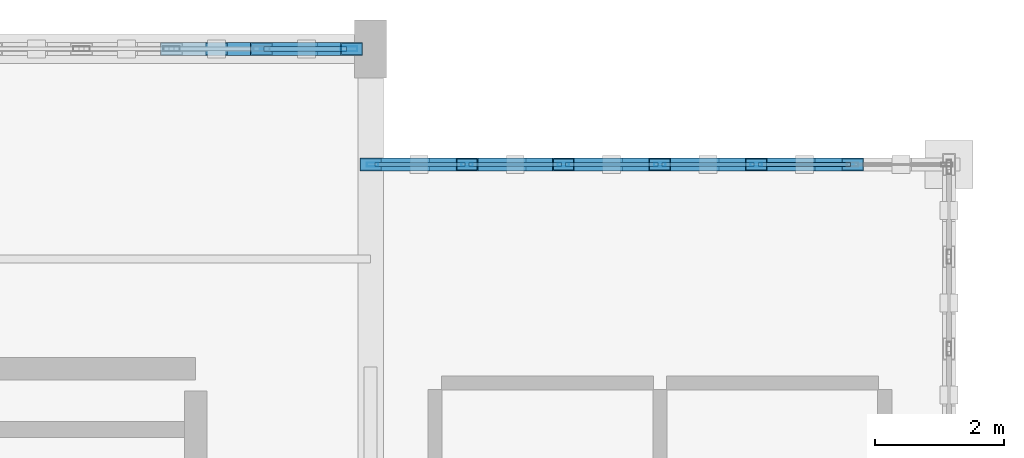
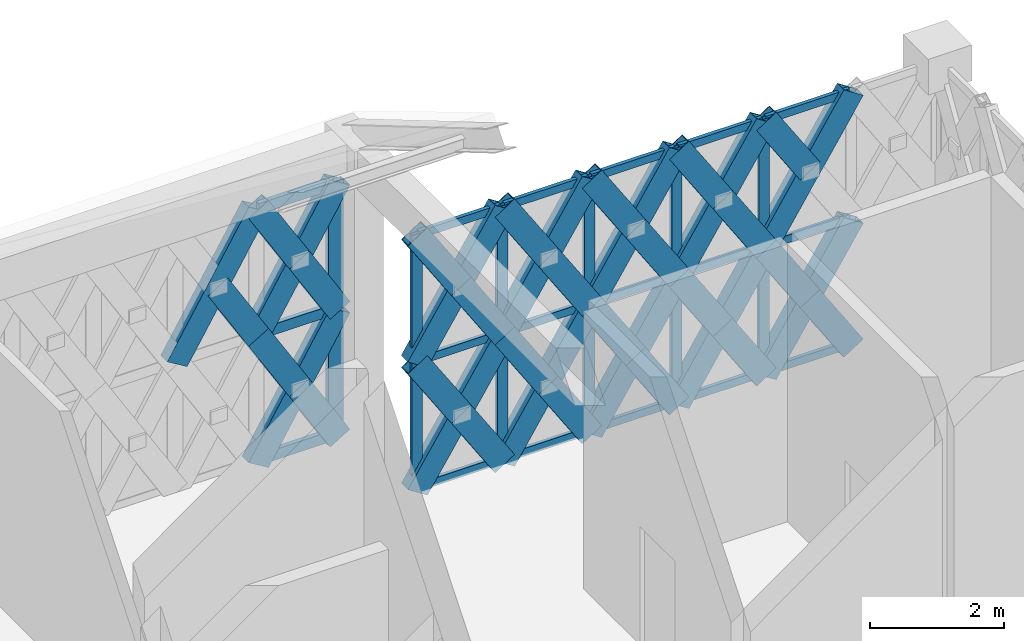
# One storey, part 54 of 72: 61 members, 2 elements without a shape of their own.
"""IFC4 building model written with IfcOpenShell, lengths in metres."""

from ifc_helpers import new_model, si_unit, direction, frame, origin, origin_2d, place, context, subcontext, project, spatial, hollow_rectangle, extrude, material, material_profile, profile_set, type_object, element, aggregate, save


model = new_model("IFC4")

# Units and contexts
model_context = context("Model", 3, precision=1e-05, world=origin(), true_north=direction((0.0, 1.0)))
body_context = subcontext(model_context, "Body", "Model", "MODEL_VIEW")
ifc_project = project(units=[si_unit("LENGTHUNIT", "METRE"), si_unit("AREAUNIT", "SQUARE_METRE"), si_unit("VOLUMEUNIT", "CUBIC_METRE"), si_unit("PLANEANGLEUNIT", "RADIAN"), si_unit("MASSUNIT", "GRAM", prefix="KILO")], contexts=[model_context])

# Site, building, storey
site_placement = place(None, origin())
site = spatial("IfcSite", under=ifc_project, at=site_placement, CompositionType="ELEMENT")
building_placement = place(site_placement, origin())
building = spatial("IfcBuilding", under=site, at=building_placement, Name="Haizhuo Lancet Aquarium", CompositionType="ELEMENT")
storey_placement = place(building_placement, frame((0.0, 0.0, 21.60009765625)))
storey = spatial("IfcBuildingStorey", under=building, at=storey_placement, Name="L04", CompositionType="ELEMENT", Elevation=21.60009765625)

# Curtain wall, members
ifc_material_1 = material(Name="Aluminium 6063-T6", Category="aluminium")
curtain_wall_type_1 = type_object("IfcCurtainWallType", Name="CWD-9000x4650", PredefinedType="NOTDEFINED", material=ifc_material_1)
curtain_wall_1_placement = place(storey_placement, origin())
curtain_wall_1 = element("IfcCurtainWall", 1, at=curtain_wall_1_placement, inside=storey, type_object=curtain_wall_type_1, Name="L04 curtain wall CW-V5-L04-181", PredefinedType="NOTDEFINED")
ifc_material_profile_1 = material_profile(ifc_material_1, hollow_rectangle(XDim=0.06494140625, YDim=0.179931640625, WallThickness=0.00390625, at=origin_2d()), Name="ALU-M 65x180x4")
ifc_profile_set_1 = profile_set([ifc_material_profile_1], Name="Aluminium 6063-T6")
member_type_1 = type_object("IfcMemberType", Name="CW-MUL-1", PredefinedType="MULLION", material=ifc_profile_set_1)
member_1_placement = place(storey_placement, frame((18.031982421875, 54.0, 0.0), z_axis=(0.0, 0.0, 1.0), x_axis=(0.0, 1.0, 0.0)))
member_1 = element("IfcMember", 2, at=member_1_placement, type_object=member_type_1, Name="CWD-90x46 mullion 1", PredefinedType="MULLION", context=body_context, shape_type="SweptSolid", body=[
    extrude(hollow_rectangle(XDim=0.06494140625, YDim=0.179931640625, WallThickness=0.00390625, at=origin_2d()), origin(), (0.0, 0.0, 1.0), 4.64990234375),
])
member_2_placement = place(storey_placement, frame((19.5, 54.0, 0.0), z_axis=(0.0, 0.0, 1.0), x_axis=(0.0, 1.0, 0.0)))
member_2 = element("IfcMember", 3, at=member_2_placement, type_object=member_type_1, Name="CWD-90x46 mullion 2", PredefinedType="MULLION", context=body_context, shape_type="SweptSolid", body=[
    extrude(hollow_rectangle(XDim=0.06494140625, YDim=0.179931640625, WallThickness=0.00390625, at=origin_2d()), origin(), (0.0, 0.0, 1.0), 4.64990234375),
])
member_3_placement = place(storey_placement, frame((21.0, 54.0, 0.0), z_axis=(0.0, 0.0, 1.0), x_axis=(0.0, 1.0, 0.0)))
member_3 = element("IfcMember", 4, at=member_3_placement, type_object=member_type_1, Name="CWD-90x46 mullion 3", PredefinedType="MULLION", context=body_context, shape_type="SweptSolid", body=[
    extrude(hollow_rectangle(XDim=0.06494140625, YDim=0.179931640625, WallThickness=0.00390625, at=origin_2d()), origin(), (0.0, 0.0, 1.0), 4.64990234375),
])
member_4_placement = place(storey_placement, frame((22.5, 54.0, 0.0), z_axis=(0.0, 0.0, 1.0), x_axis=(0.0, 1.0, 0.0)))
member_4 = element("IfcMember", 5, at=member_4_placement, type_object=member_type_1, Name="CWD-90x46 mullion 4", PredefinedType="MULLION", context=body_context, shape_type="SweptSolid", body=[
    extrude(hollow_rectangle(XDim=0.06494140625, YDim=0.179931640625, WallThickness=0.00390625, at=origin_2d()), origin(), (0.0, 0.0, 1.0), 4.64990234375),
])
member_5_placement = place(storey_placement, frame((24.0, 54.0, 0.0), z_axis=(0.0, 0.0, 1.0), x_axis=(0.0, 1.0, 0.0)))
member_5 = element("IfcMember", 6, at=member_5_placement, type_object=member_type_1, Name="CWD-90x46 mullion 5", PredefinedType="MULLION", context=body_context, shape_type="SweptSolid", body=[
    extrude(hollow_rectangle(XDim=0.06494140625, YDim=0.179931640625, WallThickness=0.00390625, at=origin_2d()), origin(), (0.0, 0.0, 1.0), 4.64990234375),
])

# Curtain wall, member
curtain_wall_type_2 = type_object("IfcCurtainWallType", Name="CWD-8410x4650", PredefinedType="NOTDEFINED", material=ifc_material_1)
curtain_wall_2_placement = place(storey_placement, origin())
curtain_wall_2 = element("IfcCurtainWall", 7, at=curtain_wall_2_placement, inside=storey, type_object=curtain_wall_type_2, Name="L04 curtain wall CW-V5-L04-180", PredefinedType="NOTDEFINED")
ifc_material_profile_2 = material_profile(ifc_material_1, hollow_rectangle(XDim=0.080078125, YDim=0.260009765625, WallThickness=0.0048828125, at=origin_2d()), Name="ALU-M 80x260x5")
ifc_profile_set_2 = profile_set([ifc_material_profile_2], Name="Aluminium 6063-T6")
member_type_2 = type_object("IfcMemberType", Name="CW-MUL-3", PredefinedType="MULLION", material=ifc_profile_set_2)
member_6_placement = place(storey_placement, frame((17.6650390625, 55.800048828125, 0.0), z_axis=(0.0, 0.0, 1.0), x_axis=(0.0, 1.0, 0.0)))
member_6 = element("IfcMember", 8, at=member_6_placement, type_object=member_type_2, Name="CWD-84x46 mullion 7", PredefinedType="MULLION", context=body_context, shape_type="SweptSolid", body=[
    extrude(hollow_rectangle(XDim=0.080078125, YDim=0.260009765625, WallThickness=0.0048828125, at=origin_2d()), origin(), (0.0, 0.0, 1.0), 4.64990234375),
])

# Member
ifc_material_profile_3 = material_profile(ifc_material_1, hollow_rectangle(XDim=0.06494140625, YDim=0.139892578125, WallThickness=0.00390625, at=origin_2d()), Name="ALU-T 65x140x4")
ifc_profile_set_3 = profile_set([ifc_material_profile_3], Name="Aluminium 6063-T6")
member_type_3 = type_object("IfcMemberType", Name="CW-TRN-1", PredefinedType="NOTDEFINED", material=ifc_profile_set_3)
member_7_placement = place(storey_placement, frame((18.06494140625, 54.0, 0.032958984375), z_axis=(1.0, 0.0, 0.0), x_axis=(0.0, 1.0, 0.0)))
member_7 = element("IfcMember", 9, at=member_7_placement, type_object=member_type_3, Name="CWD-90x46 transom 1.1", ObjectType="TRANSOM", PredefinedType="USERDEFINED", context=body_context, shape_type="SweptSolid", body=[
    extrude(hollow_rectangle(XDim=0.06494140625, YDim=0.139892578125, WallThickness=0.00390625, at=origin_2d()), origin(), (0.0, 0.0, 1.0), 1.403076171875),
])

member_8_placement = place(storey_placement, frame((18.06494140625, 54.0, 2.324951171875), z_axis=(1.0, 0.0, 0.0), x_axis=(0.0, 1.0, 0.0)))
member_8 = element("IfcMember", 10, at=member_8_placement, type_object=member_type_3, Name="CWD-90x46 transom 1.2", ObjectType="TRANSOM", PredefinedType="USERDEFINED", context=body_context, shape_type="SweptSolid", body=[
    extrude(hollow_rectangle(XDim=0.06494140625, YDim=0.139892578125, WallThickness=0.00390625, at=origin_2d()), origin(), (0.0, 0.0, 1.0), 1.403076171875),
])

member_9_placement = place(storey_placement, frame((18.06494140625, 54.0, 4.617919921875), z_axis=(1.0, 0.0, 0.0), x_axis=(0.0, 1.0, 0.0)))
member_9 = element("IfcMember", 11, at=member_9_placement, type_object=member_type_3, Name="CWD-90x46 transom 1.3", ObjectType="TRANSOM", PredefinedType="USERDEFINED", context=body_context, shape_type="SweptSolid", body=[
    extrude(hollow_rectangle(XDim=0.06494140625, YDim=0.139892578125, WallThickness=0.00390625, at=origin_2d()), origin(), (0.0, 0.0, 1.0), 1.403076171875),
])

member_10_placement = place(storey_placement, frame((19.531982421875, 54.0, 0.032958984375), z_axis=(1.0, 0.0, 0.0), x_axis=(0.0, 1.0, 0.0)))
member_10 = element("IfcMember", 12, at=member_10_placement, type_object=member_type_3, Name="CWD-90x46 transom 2.1", ObjectType="TRANSOM", PredefinedType="USERDEFINED", context=body_context, shape_type="SweptSolid", body=[
    extrude(hollow_rectangle(XDim=0.06494140625, YDim=0.139892578125, WallThickness=0.00390625, at=origin_2d()), origin(), (0.0, 0.0, 1.0), 1.43603515625),
])

member_11_placement = place(storey_placement, frame((19.531982421875, 54.0, 2.324951171875), z_axis=(1.0, 0.0, 0.0), x_axis=(0.0, 1.0, 0.0)))
member_11 = element("IfcMember", 13, at=member_11_placement, type_object=member_type_3, Name="CWD-90x46 transom 2.2", ObjectType="TRANSOM", PredefinedType="USERDEFINED", context=body_context, shape_type="SweptSolid", body=[
    extrude(hollow_rectangle(XDim=0.06494140625, YDim=0.139892578125, WallThickness=0.00390625, at=origin_2d()), origin(), (0.0, 0.0, 1.0), 1.43603515625),
])

member_12_placement = place(storey_placement, frame((19.531982421875, 54.0, 4.617919921875), z_axis=(1.0, 0.0, 0.0), x_axis=(0.0, 1.0, 0.0)))
member_12 = element("IfcMember", 14, at=member_12_placement, type_object=member_type_3, Name="CWD-90x46 transom 2.3", ObjectType="TRANSOM", PredefinedType="USERDEFINED", context=body_context, shape_type="SweptSolid", body=[
    extrude(hollow_rectangle(XDim=0.06494140625, YDim=0.139892578125, WallThickness=0.00390625, at=origin_2d()), origin(), (0.0, 0.0, 1.0), 1.43603515625),
])

member_13_placement = place(storey_placement, frame((21.031982421875, 54.0, 0.032958984375), z_axis=(1.0, 0.0, 0.0), x_axis=(0.0, 1.0, 0.0)))
member_13 = element("IfcMember", 15, at=member_13_placement, type_object=member_type_3, Name="CWD-90x46 transom 3.1", ObjectType="TRANSOM", PredefinedType="USERDEFINED", context=body_context, shape_type="SweptSolid", body=[
    extrude(hollow_rectangle(XDim=0.06494140625, YDim=0.139892578125, WallThickness=0.00390625, at=origin_2d()), origin(), (0.0, 0.0, 1.0), 1.43603515625),
])

member_14_placement = place(storey_placement, frame((21.031982421875, 54.0, 2.324951171875), z_axis=(1.0, 0.0, 0.0), x_axis=(0.0, 1.0, 0.0)))
member_14 = element("IfcMember", 16, at=member_14_placement, type_object=member_type_3, Name="CWD-90x46 transom 3.2", ObjectType="TRANSOM", PredefinedType="USERDEFINED", context=body_context, shape_type="SweptSolid", body=[
    extrude(hollow_rectangle(XDim=0.06494140625, YDim=0.139892578125, WallThickness=0.00390625, at=origin_2d()), origin(), (0.0, 0.0, 1.0), 1.43603515625),
])

member_15_placement = place(storey_placement, frame((21.031982421875, 54.0, 4.617919921875), z_axis=(1.0, 0.0, 0.0), x_axis=(0.0, 1.0, 0.0)))
member_15 = element("IfcMember", 17, at=member_15_placement, type_object=member_type_3, Name="CWD-90x46 transom 3.3", ObjectType="TRANSOM", PredefinedType="USERDEFINED", context=body_context, shape_type="SweptSolid", body=[
    extrude(hollow_rectangle(XDim=0.06494140625, YDim=0.139892578125, WallThickness=0.00390625, at=origin_2d()), origin(), (0.0, 0.0, 1.0), 1.43603515625),
])

member_16_placement = place(storey_placement, frame((22.531982421875, 54.0, 0.032958984375), z_axis=(1.0, 0.0, 0.0), x_axis=(0.0, 1.0, 0.0)))
member_16 = element("IfcMember", 18, at=member_16_placement, type_object=member_type_3, Name="CWD-90x46 transom 4.1", ObjectType="TRANSOM", PredefinedType="USERDEFINED", context=body_context, shape_type="SweptSolid", body=[
    extrude(hollow_rectangle(XDim=0.06494140625, YDim=0.139892578125, WallThickness=0.00390625, at=origin_2d()), origin(), (0.0, 0.0, 1.0), 1.43603515625),
])

member_17_placement = place(storey_placement, frame((22.531982421875, 54.0, 2.324951171875), z_axis=(1.0, 0.0, 0.0), x_axis=(0.0, 1.0, 0.0)))
member_17 = element("IfcMember", 19, at=member_17_placement, type_object=member_type_3, Name="CWD-90x46 transom 4.2", ObjectType="TRANSOM", PredefinedType="USERDEFINED", context=body_context, shape_type="SweptSolid", body=[
    extrude(hollow_rectangle(XDim=0.06494140625, YDim=0.139892578125, WallThickness=0.00390625, at=origin_2d()), origin(), (0.0, 0.0, 1.0), 1.43603515625),
])

member_18_placement = place(storey_placement, frame((22.531982421875, 54.0, 4.617919921875), z_axis=(1.0, 0.0, 0.0), x_axis=(0.0, 1.0, 0.0)))
member_18 = element("IfcMember", 20, at=member_18_placement, type_object=member_type_3, Name="CWD-90x46 transom 4.3", ObjectType="TRANSOM", PredefinedType="USERDEFINED", context=body_context, shape_type="SweptSolid", body=[
    extrude(hollow_rectangle(XDim=0.06494140625, YDim=0.139892578125, WallThickness=0.00390625, at=origin_2d()), origin(), (0.0, 0.0, 1.0), 1.43603515625),
])

member_19_placement = place(storey_placement, frame((24.031982421875, 54.0, 0.032958984375), z_axis=(1.0, 0.0, 0.0), x_axis=(0.0, 1.0, 0.0)))
member_19 = element("IfcMember", 21, at=member_19_placement, type_object=member_type_3, Name="CWD-90x46 transom 5.1", ObjectType="TRANSOM", PredefinedType="USERDEFINED", context=body_context, shape_type="SweptSolid", body=[
    extrude(hollow_rectangle(XDim=0.06494140625, YDim=0.139892578125, WallThickness=0.00390625, at=origin_2d()), origin(), (0.0, 0.0, 1.0), 1.43603515625),
])

member_20_placement = place(storey_placement, frame((24.031982421875, 54.0, 2.324951171875), z_axis=(1.0, 0.0, 0.0), x_axis=(0.0, 1.0, 0.0)))
member_20 = element("IfcMember", 22, at=member_20_placement, type_object=member_type_3, Name="CWD-90x46 transom 5.2", ObjectType="TRANSOM", PredefinedType="USERDEFINED", context=body_context, shape_type="SweptSolid", body=[
    extrude(hollow_rectangle(XDim=0.06494140625, YDim=0.139892578125, WallThickness=0.00390625, at=origin_2d()), origin(), (0.0, 0.0, 1.0), 1.43603515625),
])

member_21_placement = place(storey_placement, frame((24.031982421875, 54.0, 4.617919921875), z_axis=(1.0, 0.0, 0.0), x_axis=(0.0, 1.0, 0.0)))
member_21 = element("IfcMember", 23, at=member_21_placement, type_object=member_type_3, Name="CWD-90x46 transom 5.3", ObjectType="TRANSOM", PredefinedType="USERDEFINED", context=body_context, shape_type="SweptSolid", body=[
    extrude(hollow_rectangle(XDim=0.06494140625, YDim=0.139892578125, WallThickness=0.00390625, at=origin_2d()), origin(), (0.0, 0.0, 1.0), 1.43603515625),
])

aggregate(curtain_wall_1, [member_1, member_2, member_3, member_4, member_5, member_7, member_8, member_9, member_10, member_11, member_12, member_13, member_14, member_15, member_16, member_17, member_18, member_19, member_20, member_21])

ifc_material_profile_4 = material_profile(ifc_material_1, hollow_rectangle(XDim=0.080078125, YDim=0.18994140625, WallThickness=0.0048828125, at=origin_2d()), Name="ALU-T 80x190x5")
ifc_profile_set_4 = profile_set([ifc_material_profile_4], Name="Aluminium 6063-T6")
member_type_4 = type_object("IfcMemberType", Name="CW-TRN-3", PredefinedType="NOTDEFINED", material=ifc_profile_set_4)
member_22_placement = place(storey_placement, frame((16.343017578125, 55.800048828125, 0.039794921875), z_axis=(1.0, 0.0, 0.0), x_axis=(0.0, 1.0, 0.0)))
member_22 = element("IfcMember", 24, at=member_22_placement, type_object=member_type_4, Name="CWD-84x46 transom 6.1", ObjectType="TRANSOM", PredefinedType="USERDEFINED", context=body_context, shape_type="SweptSolid", body=[
    extrude(hollow_rectangle(XDim=0.080078125, YDim=0.18994140625, WallThickness=0.0048828125, at=origin_2d()), origin(), (0.0, 0.0, 1.0), 1.281982421875),
])

member_23_placement = place(storey_placement, frame((16.343017578125, 55.800048828125, 2.324951171875), z_axis=(1.0, 0.0, 0.0), x_axis=(0.0, 1.0, 0.0)))
member_23 = element("IfcMember", 25, at=member_23_placement, type_object=member_type_4, Name="CWD-84x46 transom 6.2", ObjectType="TRANSOM", PredefinedType="USERDEFINED", context=body_context, shape_type="SweptSolid", body=[
    extrude(hollow_rectangle(XDim=0.080078125, YDim=0.18994140625, WallThickness=0.0048828125, at=origin_2d()), origin(), (0.0, 0.0, 1.0), 1.281982421875),
])

member_24_placement = place(storey_placement, frame((16.343017578125, 55.800048828125, 4.60986328125), z_axis=(1.0, 0.0, 0.0), x_axis=(0.0, 1.0, 0.0)))
member_24 = element("IfcMember", 26, at=member_24_placement, type_object=member_type_4, Name="CWD-84x46 transom 6.3", ObjectType="TRANSOM", PredefinedType="USERDEFINED", context=body_context, shape_type="SweptSolid", body=[
    extrude(hollow_rectangle(XDim=0.080078125, YDim=0.18994140625, WallThickness=0.0048828125, at=origin_2d()), origin(), (0.0, 0.0, 1.0), 1.281982421875),
])

aggregate(curtain_wall_2, [member_6, member_22, member_23, member_24])

# Members
ifc_material_2 = material(Name="Steel S355", Category="steel")
ifc_material_profile_5 = material_profile(ifc_material_2, hollow_rectangle(XDim=0.199951171875, YDim=0.39990234375, WallThickness=0.011962890625, at=origin_2d()), Name="RHS 200x400x12")
ifc_profile_set_5 = profile_set([ifc_material_profile_5], Name="Steel S355")
member_type_5 = type_object("IfcMemberType", Name="MEM-LB-RHS200x400", PredefinedType="BRACE", material=ifc_profile_set_5)
member_25_placement = place(storey_placement, frame((14.902099609375, 55.800048828125, 2.324951171875), z_axis=(0.516095323005, 0.0, 0.856531153883), x_axis=(0.0, 1.0, 0.0)))
element("IfcMember", 27, at=member_25_placement, inside=storey, type_object=member_type_5, Name="Gothic lancet continuous diagonal brace CW-V5-L04-180 10A", PredefinedType="BRACE", context=body_context, shape_type="SweptSolid", body=[
    extrude(hollow_rectangle(XDim=0.199951171875, YDim=0.39990234375, WallThickness=0.011962890625, at=origin_2d()), origin(), (0.0, 0.0, 1.0), 2.71435546875),
])
member_26_placement = place(storey_placement, frame((16.302978515625, 55.800048828125, 2.324951171875), z_axis=(-0.516558084519, 0.0, 0.856252150548), x_axis=(0.0, -1.0, 0.0)))
element("IfcMember", 28, at=member_26_placement, inside=storey, type_object=member_type_5, Name="Gothic lancet split diagonal brace CW-V5-L04-180 10B1", PredefinedType="BRACE", context=body_context, shape_type="SweptSolid", body=[
    extrude(hollow_rectangle(XDim=0.199951171875, YDim=0.39990234375, WallThickness=0.011962890625, at=origin_2d()), origin(), (0.0, 0.0, 1.0), 1.35693359375),
])
member_27_placement = place(storey_placement, frame((16.302978515625, 55.800048828125, 0.0), z_axis=(0.516425141118, 0.0, 0.856332338302), x_axis=(0.0, 1.0, 0.0)))
element("IfcMember", 29, at=member_27_placement, inside=storey, type_object=member_type_5, Name="Gothic lancet continuous diagonal brace CW-V5-L04-180 11A", PredefinedType="BRACE", context=body_context, shape_type="SweptSolid", body=[
    extrude(hollow_rectangle(XDim=0.199951171875, YDim=0.39990234375, WallThickness=0.011962890625, at=origin_2d()), origin(), (0.0, 0.0, 1.0), 2.715087890625),
])
member_28_placement = place(storey_placement, frame((17.705078125, 55.800048828125, 0.0), z_axis=(-0.516371795819, 0.0, 0.856364506786), x_axis=(0.0, -1.0, 0.0)))
element("IfcMember", 30, at=member_28_placement, inside=storey, type_object=member_type_5, Name="Gothic lancet split diagonal brace CW-V5-L04-180 11B1", PredefinedType="BRACE", context=body_context, shape_type="SweptSolid", body=[
    extrude(hollow_rectangle(XDim=0.199951171875, YDim=0.39990234375, WallThickness=0.011962890625, at=origin_2d()), origin(), (0.0, 0.0, 1.0), 1.35791015625),
])
member_29_placement = place(storey_placement, frame((17.00390625, 55.800048828125, 1.162841796875), z_axis=(-0.51647851402, 0.0, 0.856300148637), x_axis=(0.0, -1.0, 0.0)))
element("IfcMember", 31, at=member_29_placement, inside=storey, type_object=member_type_5, Name="Gothic lancet split diagonal brace CW-V5-L04-180 11B2", PredefinedType="BRACE", context=body_context, shape_type="SweptSolid", body=[
    extrude(hollow_rectangle(XDim=0.199951171875, YDim=0.39990234375, WallThickness=0.011962890625, at=origin_2d()), origin(), (0.0, 0.0, 1.0), 1.357177734375),
])
member_30_placement = place(storey_placement, frame((16.302978515625, 55.800048828125, 2.324951171875), z_axis=(0.516425141118, 0.0, 0.856332338302), x_axis=(0.0, 1.0, 0.0)))
element("IfcMember", 32, at=member_30_placement, inside=storey, type_object=member_type_5, Name="Gothic lancet continuous diagonal brace CW-V5-L04-180 12A", PredefinedType="BRACE", context=body_context, shape_type="SweptSolid", body=[
    extrude(hollow_rectangle(XDim=0.199951171875, YDim=0.39990234375, WallThickness=0.011962890625, at=origin_2d()), origin(), (0.0, 0.0, 1.0), 2.715087890625),
])
member_31_placement = place(storey_placement, frame((17.705078125, 55.800048828125, 2.324951171875), z_axis=(-0.516689979653, 0.0, 0.856172567259), x_axis=(0.0, -1.0, 0.0)))
element("IfcMember", 33, at=member_31_placement, inside=storey, type_object=member_type_5, Name="Gothic lancet split diagonal brace CW-V5-L04-180 12B1", PredefinedType="BRACE", context=body_context, shape_type="SweptSolid", body=[
    extrude(hollow_rectangle(XDim=0.199951171875, YDim=0.39990234375, WallThickness=0.011962890625, at=origin_2d()), origin(), (0.0, 0.0, 1.0), 1.35693359375),
])
member_32_placement = place(storey_placement, frame((17.00390625, 55.800048828125, 3.48681640625), z_axis=(-0.516160432506, 0.0, 0.856491919352), x_axis=(0.0, -1.0, 0.0)))
element("IfcMember", 34, at=member_32_placement, inside=storey, type_object=member_type_5, Name="Gothic lancet split diagonal brace CW-V5-L04-180 12B2", PredefinedType="BRACE", context=body_context, shape_type="SweptSolid", body=[
    extrude(hollow_rectangle(XDim=0.199951171875, YDim=0.39990234375, WallThickness=0.011962890625, at=origin_2d()), origin(), (0.0, 0.0, 1.0), 1.35791015625),
])
member_33_placement = place(storey_placement, frame((18.0, 54.0, 0.0), z_axis=(0.542134909125, 0.0, 0.840291461523), x_axis=(0.0, 1.0, 0.0)))
element("IfcMember", 35, at=member_33_placement, inside=storey, type_object=member_type_5, Name="Gothic lancet continuous diagonal brace CW-V5-L04-181 1A", PredefinedType="BRACE", context=body_context, shape_type="SweptSolid", body=[
    extrude(hollow_rectangle(XDim=0.199951171875, YDim=0.39990234375, WallThickness=0.011962890625, at=origin_2d()), origin(), (0.0, 0.0, 1.0), 2.766845703125),
])
member_34_placement = place(storey_placement, frame((19.5, 54.0, 0.0), z_axis=(-0.542014339406, 0.0, 0.840369237822), x_axis=(0.0, -1.0, 0.0)))
element("IfcMember", 36, at=member_34_placement, inside=storey, type_object=member_type_5, Name="Gothic lancet split diagonal brace CW-V5-L04-181 1B1", PredefinedType="BRACE", context=body_context, shape_type="SweptSolid", body=[
    extrude(hollow_rectangle(XDim=0.199951171875, YDim=0.39990234375, WallThickness=0.011962890625, at=origin_2d()), origin(), (0.0, 0.0, 1.0), 1.3837890625),
])
member_35_placement = place(storey_placement, frame((18.75, 54.0, 1.162841796875), z_axis=(-0.542255521326, 0.0, 0.840213633305), x_axis=(0.0, -1.0, 0.0)))
element("IfcMember", 37, at=member_35_placement, inside=storey, type_object=member_type_5, Name="Gothic lancet split diagonal brace CW-V5-L04-181 1B2", PredefinedType="BRACE", context=body_context, shape_type="SweptSolid", body=[
    extrude(hollow_rectangle(XDim=0.199951171875, YDim=0.39990234375, WallThickness=0.011962890625, at=origin_2d()), origin(), (0.0, 0.0, 1.0), 1.383056640625),
])
member_36_placement = place(storey_placement, frame((18.0, 54.0, 2.324951171875), z_axis=(0.542134909125, 0.0, 0.840291461523), x_axis=(0.0, 1.0, 0.0)))
element("IfcMember", 38, at=member_36_placement, inside=storey, type_object=member_type_5, Name="Gothic lancet continuous diagonal brace CW-V5-L04-181 2A", PredefinedType="BRACE", context=body_context, shape_type="SweptSolid", body=[
    extrude(hollow_rectangle(XDim=0.199951171875, YDim=0.39990234375, WallThickness=0.011962890625, at=origin_2d()), origin(), (0.0, 0.0, 1.0), 2.766845703125),
])
member_37_placement = place(storey_placement, frame((19.5, 54.0, 2.324951171875), z_axis=(-0.542335953068, 0.0, 0.840161718962), x_axis=(0.0, -1.0, 0.0)))
element("IfcMember", 39, at=member_37_placement, inside=storey, type_object=member_type_5, Name="Gothic lancet split diagonal brace CW-V5-L04-181 2B1", PredefinedType="BRACE", context=body_context, shape_type="SweptSolid", body=[
    extrude(hollow_rectangle(XDim=0.199951171875, YDim=0.39990234375, WallThickness=0.011962890625, at=origin_2d()), origin(), (0.0, 0.0, 1.0), 1.3828125),
])
member_38_placement = place(storey_placement, frame((18.75, 54.0, 3.48681640625), z_axis=(-0.541933983188, 0.0, 0.840421059866), x_axis=(0.0, -1.0, 0.0)))
element("IfcMember", 40, at=member_38_placement, inside=storey, type_object=member_type_5, Name="Gothic lancet split diagonal brace CW-V5-L04-181 2B2", PredefinedType="BRACE", context=body_context, shape_type="SweptSolid", body=[
    extrude(hollow_rectangle(XDim=0.199951171875, YDim=0.39990234375, WallThickness=0.011962890625, at=origin_2d()), origin(), (0.0, 0.0, 1.0), 1.384033203125),
])
member_39_placement = place(storey_placement, frame((19.5, 54.0, 0.0), z_axis=(0.542134909125, 0.0, 0.840291461523), x_axis=(0.0, 1.0, 0.0)))
element("IfcMember", 41, at=member_39_placement, inside=storey, type_object=member_type_5, Name="Gothic lancet continuous diagonal brace CW-V5-L04-181 3A", PredefinedType="BRACE", context=body_context, shape_type="SweptSolid", body=[
    extrude(hollow_rectangle(XDim=0.199951171875, YDim=0.39990234375, WallThickness=0.011962890625, at=origin_2d()), origin(), (0.0, 0.0, 1.0), 2.766845703125),
])
member_40_placement = place(storey_placement, frame((21.0, 54.0, 0.0), z_axis=(-0.542014339406, 0.0, 0.840369237822), x_axis=(0.0, -1.0, 0.0)))
element("IfcMember", 42, at=member_40_placement, inside=storey, type_object=member_type_5, Name="Gothic lancet split diagonal brace CW-V5-L04-181 3B1", PredefinedType="BRACE", context=body_context, shape_type="SweptSolid", body=[
    extrude(hollow_rectangle(XDim=0.199951171875, YDim=0.39990234375, WallThickness=0.011962890625, at=origin_2d()), origin(), (0.0, 0.0, 1.0), 1.3837890625),
])
member_41_placement = place(storey_placement, frame((20.25, 54.0, 1.162841796875), z_axis=(-0.542255521326, 0.0, 0.840213633305), x_axis=(0.0, -1.0, 0.0)))
element("IfcMember", 43, at=member_41_placement, inside=storey, type_object=member_type_5, Name="Gothic lancet split diagonal brace CW-V5-L04-181 3B2", PredefinedType="BRACE", context=body_context, shape_type="SweptSolid", body=[
    extrude(hollow_rectangle(XDim=0.199951171875, YDim=0.39990234375, WallThickness=0.011962890625, at=origin_2d()), origin(), (0.0, 0.0, 1.0), 1.383056640625),
])
member_42_placement = place(storey_placement, frame((19.5, 54.0, 2.324951171875), z_axis=(0.542134909125, 0.0, 0.840291461523), x_axis=(0.0, 1.0, 0.0)))
element("IfcMember", 44, at=member_42_placement, inside=storey, type_object=member_type_5, Name="Gothic lancet continuous diagonal brace CW-V5-L04-181 4A", PredefinedType="BRACE", context=body_context, shape_type="SweptSolid", body=[
    extrude(hollow_rectangle(XDim=0.199951171875, YDim=0.39990234375, WallThickness=0.011962890625, at=origin_2d()), origin(), (0.0, 0.0, 1.0), 2.766845703125),
])
member_43_placement = place(storey_placement, frame((21.0, 54.0, 2.324951171875), z_axis=(-0.542335953068, 0.0, 0.840161718962), x_axis=(0.0, -1.0, 0.0)))
element("IfcMember", 45, at=member_43_placement, inside=storey, type_object=member_type_5, Name="Gothic lancet split diagonal brace CW-V5-L04-181 4B1", PredefinedType="BRACE", context=body_context, shape_type="SweptSolid", body=[
    extrude(hollow_rectangle(XDim=0.199951171875, YDim=0.39990234375, WallThickness=0.011962890625, at=origin_2d()), origin(), (0.0, 0.0, 1.0), 1.3828125),
])
member_44_placement = place(storey_placement, frame((20.25, 54.0, 3.48681640625), z_axis=(-0.541933983188, 0.0, 0.840421059866), x_axis=(0.0, -1.0, 0.0)))
element("IfcMember", 46, at=member_44_placement, inside=storey, type_object=member_type_5, Name="Gothic lancet split diagonal brace CW-V5-L04-181 4B2", PredefinedType="BRACE", context=body_context, shape_type="SweptSolid", body=[
    extrude(hollow_rectangle(XDim=0.199951171875, YDim=0.39990234375, WallThickness=0.011962890625, at=origin_2d()), origin(), (0.0, 0.0, 1.0), 1.384033203125),
])
member_45_placement = place(storey_placement, frame((21.0, 54.0, 0.0), z_axis=(0.542134909125, 0.0, 0.840291461523), x_axis=(0.0, 1.0, 0.0)))
element("IfcMember", 47, at=member_45_placement, inside=storey, type_object=member_type_5, Name="Gothic lancet continuous diagonal brace CW-V5-L04-181 5A", PredefinedType="BRACE", context=body_context, shape_type="SweptSolid", body=[
    extrude(hollow_rectangle(XDim=0.199951171875, YDim=0.39990234375, WallThickness=0.011962890625, at=origin_2d()), origin(), (0.0, 0.0, 1.0), 2.766845703125),
])
member_46_placement = place(storey_placement, frame((22.5, 54.0, 0.0), z_axis=(-0.542014339406, 0.0, 0.840369237822), x_axis=(0.0, -1.0, 0.0)))
element("IfcMember", 48, at=member_46_placement, inside=storey, type_object=member_type_5, Name="Gothic lancet split diagonal brace CW-V5-L04-181 5B1", PredefinedType="BRACE", context=body_context, shape_type="SweptSolid", body=[
    extrude(hollow_rectangle(XDim=0.199951171875, YDim=0.39990234375, WallThickness=0.011962890625, at=origin_2d()), origin(), (0.0, 0.0, 1.0), 1.3837890625),
])
member_47_placement = place(storey_placement, frame((21.75, 54.0, 1.162841796875), z_axis=(-0.542255521326, 0.0, 0.840213633305), x_axis=(0.0, -1.0, 0.0)))
element("IfcMember", 49, at=member_47_placement, inside=storey, type_object=member_type_5, Name="Gothic lancet split diagonal brace CW-V5-L04-181 5B2", PredefinedType="BRACE", context=body_context, shape_type="SweptSolid", body=[
    extrude(hollow_rectangle(XDim=0.199951171875, YDim=0.39990234375, WallThickness=0.011962890625, at=origin_2d()), origin(), (0.0, 0.0, 1.0), 1.383056640625),
])
member_48_placement = place(storey_placement, frame((21.0, 54.0, 2.324951171875), z_axis=(0.542134909125, 0.0, 0.840291461523), x_axis=(0.0, 1.0, 0.0)))
element("IfcMember", 50, at=member_48_placement, inside=storey, type_object=member_type_5, Name="Gothic lancet continuous diagonal brace CW-V5-L04-181 6A", PredefinedType="BRACE", context=body_context, shape_type="SweptSolid", body=[
    extrude(hollow_rectangle(XDim=0.199951171875, YDim=0.39990234375, WallThickness=0.011962890625, at=origin_2d()), origin(), (0.0, 0.0, 1.0), 2.766845703125),
])
member_49_placement = place(storey_placement, frame((22.5, 54.0, 2.324951171875), z_axis=(-0.542335953068, 0.0, 0.840161718962), x_axis=(0.0, -1.0, 0.0)))
element("IfcMember", 51, at=member_49_placement, inside=storey, type_object=member_type_5, Name="Gothic lancet split diagonal brace CW-V5-L04-181 6B1", PredefinedType="BRACE", context=body_context, shape_type="SweptSolid", body=[
    extrude(hollow_rectangle(XDim=0.199951171875, YDim=0.39990234375, WallThickness=0.011962890625, at=origin_2d()), origin(), (0.0, 0.0, 1.0), 1.3828125),
])
member_50_placement = place(storey_placement, frame((21.75, 54.0, 3.48681640625), z_axis=(-0.541933983188, 0.0, 0.840421059866), x_axis=(0.0, -1.0, 0.0)))
element("IfcMember", 52, at=member_50_placement, inside=storey, type_object=member_type_5, Name="Gothic lancet split diagonal brace CW-V5-L04-181 6B2", PredefinedType="BRACE", context=body_context, shape_type="SweptSolid", body=[
    extrude(hollow_rectangle(XDim=0.199951171875, YDim=0.39990234375, WallThickness=0.011962890625, at=origin_2d()), origin(), (0.0, 0.0, 1.0), 1.384033203125),
])
member_51_placement = place(storey_placement, frame((22.5, 54.0, 0.0), z_axis=(0.542134909125, 0.0, 0.840291461523), x_axis=(0.0, 1.0, 0.0)))
element("IfcMember", 53, at=member_51_placement, inside=storey, type_object=member_type_5, Name="Gothic lancet continuous diagonal brace CW-V5-L04-181 7A", PredefinedType="BRACE", context=body_context, shape_type="SweptSolid", body=[
    extrude(hollow_rectangle(XDim=0.199951171875, YDim=0.39990234375, WallThickness=0.011962890625, at=origin_2d()), origin(), (0.0, 0.0, 1.0), 2.766845703125),
])
member_52_placement = place(storey_placement, frame((24.0, 54.0, 0.0), z_axis=(-0.542014339406, 0.0, 0.840369237822), x_axis=(0.0, -1.0, 0.0)))
element("IfcMember", 54, at=member_52_placement, inside=storey, type_object=member_type_5, Name="Gothic lancet split diagonal brace CW-V5-L04-181 7B1", PredefinedType="BRACE", context=body_context, shape_type="SweptSolid", body=[
    extrude(hollow_rectangle(XDim=0.199951171875, YDim=0.39990234375, WallThickness=0.011962890625, at=origin_2d()), origin(), (0.0, 0.0, 1.0), 1.3837890625),
])
member_53_placement = place(storey_placement, frame((23.25, 54.0, 1.162841796875), z_axis=(-0.542255521326, 0.0, 0.840213633305), x_axis=(0.0, -1.0, 0.0)))
element("IfcMember", 55, at=member_53_placement, inside=storey, type_object=member_type_5, Name="Gothic lancet split diagonal brace CW-V5-L04-181 7B2", PredefinedType="BRACE", context=body_context, shape_type="SweptSolid", body=[
    extrude(hollow_rectangle(XDim=0.199951171875, YDim=0.39990234375, WallThickness=0.011962890625, at=origin_2d()), origin(), (0.0, 0.0, 1.0), 1.383056640625),
])
member_54_placement = place(storey_placement, frame((22.5, 54.0, 2.324951171875), z_axis=(0.542134909125, 0.0, 0.840291461523), x_axis=(0.0, 1.0, 0.0)))
element("IfcMember", 56, at=member_54_placement, inside=storey, type_object=member_type_5, Name="Gothic lancet continuous diagonal brace CW-V5-L04-181 8A", PredefinedType="BRACE", context=body_context, shape_type="SweptSolid", body=[
    extrude(hollow_rectangle(XDim=0.199951171875, YDim=0.39990234375, WallThickness=0.011962890625, at=origin_2d()), origin(), (0.0, 0.0, 1.0), 2.766845703125),
])
member_55_placement = place(storey_placement, frame((24.0, 54.0, 2.324951171875), z_axis=(-0.542335953068, 0.0, 0.840161718962), x_axis=(0.0, -1.0, 0.0)))
element("IfcMember", 57, at=member_55_placement, inside=storey, type_object=member_type_5, Name="Gothic lancet split diagonal brace CW-V5-L04-181 8B1", PredefinedType="BRACE", context=body_context, shape_type="SweptSolid", body=[
    extrude(hollow_rectangle(XDim=0.199951171875, YDim=0.39990234375, WallThickness=0.011962890625, at=origin_2d()), origin(), (0.0, 0.0, 1.0), 1.3828125),
])
member_56_placement = place(storey_placement, frame((23.25, 54.0, 3.48681640625), z_axis=(-0.541933983188, 0.0, 0.840421059866), x_axis=(0.0, -1.0, 0.0)))
element("IfcMember", 58, at=member_56_placement, inside=storey, type_object=member_type_5, Name="Gothic lancet split diagonal brace CW-V5-L04-181 8B2", PredefinedType="BRACE", context=body_context, shape_type="SweptSolid", body=[
    extrude(hollow_rectangle(XDim=0.199951171875, YDim=0.39990234375, WallThickness=0.011962890625, at=origin_2d()), origin(), (0.0, 0.0, 1.0), 1.384033203125),
])
member_57_placement = place(storey_placement, frame((24.0, 54.0, 0.0), z_axis=(0.542134909125, 0.0, 0.840291461523), x_axis=(0.0, 1.0, 0.0)))
element("IfcMember", 59, at=member_57_placement, inside=storey, type_object=member_type_5, Name="Gothic lancet continuous diagonal brace CW-V5-L04-181 9A", PredefinedType="BRACE", context=body_context, shape_type="SweptSolid", body=[
    extrude(hollow_rectangle(XDim=0.199951171875, YDim=0.39990234375, WallThickness=0.011962890625, at=origin_2d()), origin(), (0.0, 0.0, 1.0), 2.766845703125),
])
member_58_placement = place(storey_placement, frame((25.5, 54.0, 0.0), z_axis=(-0.542014339406, 0.0, 0.840369237822), x_axis=(0.0, -1.0, 0.0)))
element("IfcMember", 60, at=member_58_placement, inside=storey, type_object=member_type_5, Name="Gothic lancet split diagonal brace CW-V5-L04-181 9B1", PredefinedType="BRACE", context=body_context, shape_type="SweptSolid", body=[
    extrude(hollow_rectangle(XDim=0.199951171875, YDim=0.39990234375, WallThickness=0.011962890625, at=origin_2d()), origin(), (0.0, 0.0, 1.0), 1.3837890625),
])
member_59_placement = place(storey_placement, frame((24.75, 54.0, 1.162841796875), z_axis=(-0.542255521326, 0.0, 0.840213633305), x_axis=(0.0, -1.0, 0.0)))
element("IfcMember", 61, at=member_59_placement, inside=storey, type_object=member_type_5, Name="Gothic lancet split diagonal brace CW-V5-L04-181 9B2", PredefinedType="BRACE", context=body_context, shape_type="SweptSolid", body=[
    extrude(hollow_rectangle(XDim=0.199951171875, YDim=0.39990234375, WallThickness=0.011962890625, at=origin_2d()), origin(), (0.0, 0.0, 1.0), 1.383056640625),
])
member_60_placement = place(storey_placement, frame((24.0, 54.0, 2.324951171875), z_axis=(0.542134909125, 0.0, 0.840291461523), x_axis=(0.0, 1.0, 0.0)))
element("IfcMember", 62, at=member_60_placement, inside=storey, type_object=member_type_5, Name="Gothic lancet continuous diagonal brace CW-V5-L04-181 10A", PredefinedType="BRACE", context=body_context, shape_type="SweptSolid", body=[
    extrude(hollow_rectangle(XDim=0.199951171875, YDim=0.39990234375, WallThickness=0.011962890625, at=origin_2d()), origin(), (0.0, 0.0, 1.0), 2.766845703125),
])
member_61_placement = place(storey_placement, frame((24.75, 54.0, 3.48681640625), z_axis=(-0.541933983188, 0.0, 0.840421059866), x_axis=(0.0, -1.0, 0.0)))
element("IfcMember", 63, at=member_61_placement, inside=storey, type_object=member_type_5, Name="Gothic lancet split diagonal brace CW-V5-L04-181 10B2", PredefinedType="BRACE", context=body_context, shape_type="SweptSolid", body=[
    extrude(hollow_rectangle(XDim=0.199951171875, YDim=0.39990234375, WallThickness=0.011962890625, at=origin_2d()), origin(), (0.0, 0.0, 1.0), 1.384033203125),
])

save(model, "model.ifc")
